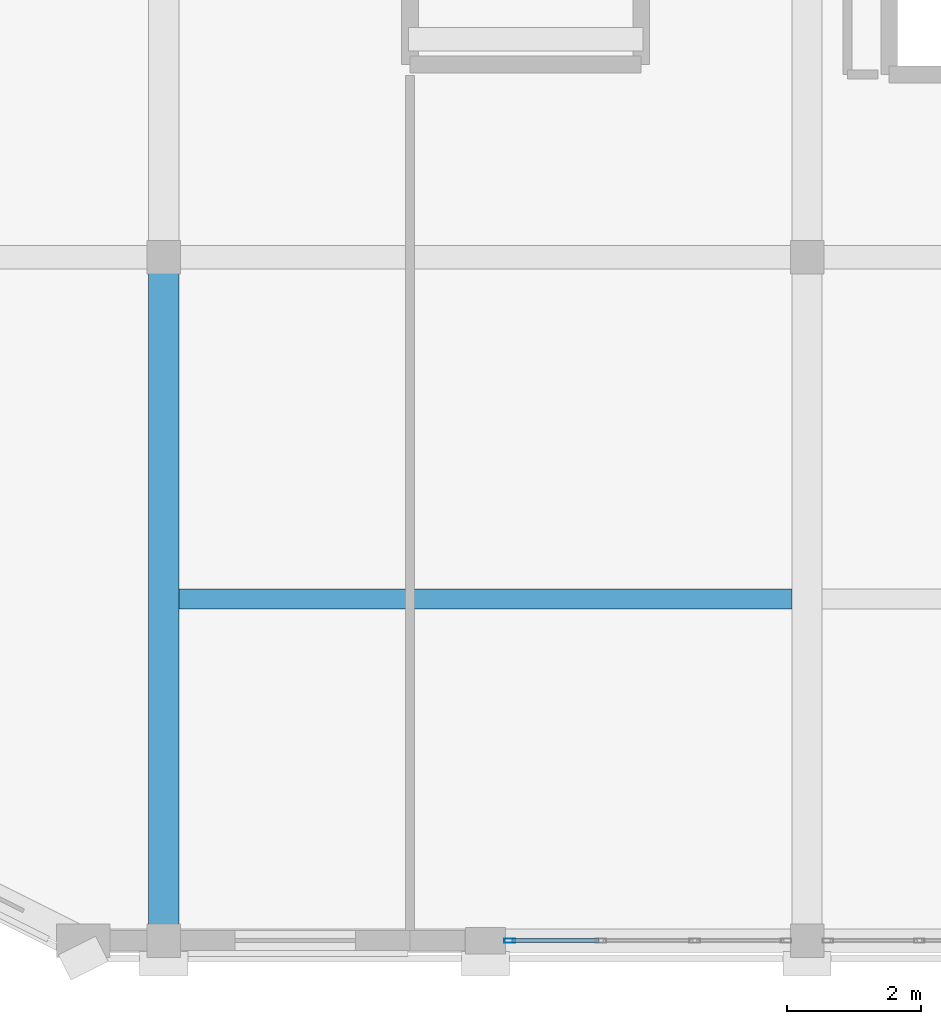
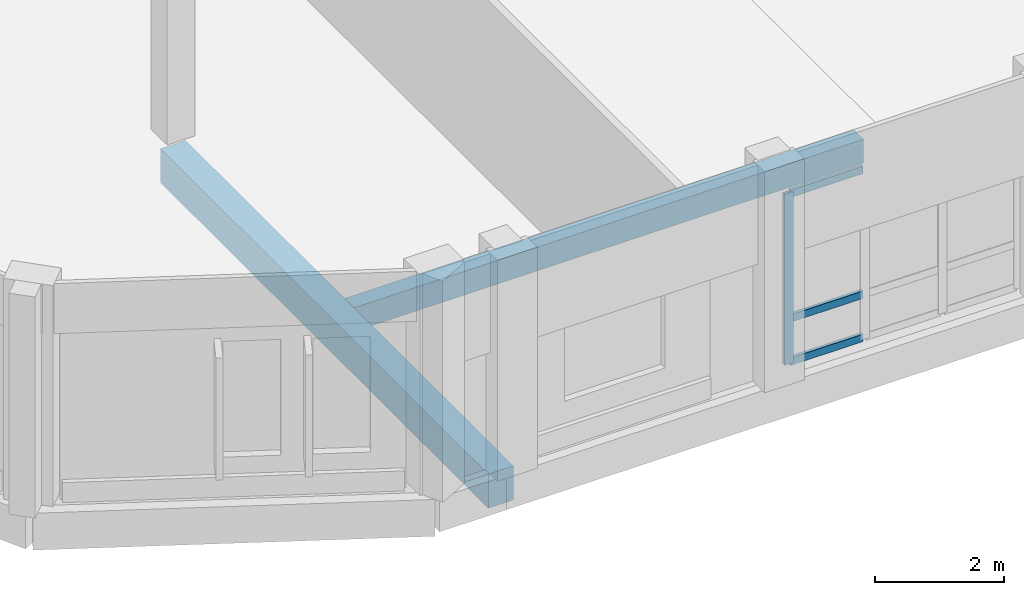
# One storey, part 2 of 29: 4 members, 2 beams, 1 element without a shape of its own.
"""IFC4 building model written with IfcOpenShell, lengths in metres."""

from ifc_helpers import new_model, si_unit, direction, frame, origin, origin_2d, place, context, subcontext, project, spatial, rectangle, hollow_rectangle, extrude, material, material_profile, profile_set, type_object, element, aggregate, save


model = new_model("IFC4")

# Units and contexts
model_context = context("Model", 3, precision=1e-05, world=origin(), true_north=direction((0.0, 1.0)))
body_context = subcontext(model_context, "Body", "Model", "MODEL_VIEW")
ifc_project = project(units=[si_unit("LENGTHUNIT", "METRE"), si_unit("AREAUNIT", "SQUARE_METRE"), si_unit("VOLUMEUNIT", "CUBIC_METRE"), si_unit("PLANEANGLEUNIT", "RADIAN"), si_unit("MASSUNIT", "GRAM", prefix="KILO")], contexts=[model_context])

# Site, building, storey
site_placement = place(None, origin())
site = spatial("IfcSite", under=ifc_project, at=site_placement, CompositionType="ELEMENT")
building_placement = place(site_placement, origin())
building = spatial("IfcBuilding", under=site, at=building_placement, Name="Vondelvale Polytechnic", CompositionType="ELEMENT")
storey_placement = place(building_placement, frame((0.0, 0.0, 26.39990234375)))
storey = spatial("IfcBuildingStorey", under=building, at=storey_placement, Name="L06", CompositionType="ELEMENT", Elevation=26.39990234375)

# Beam
ifc_material_1 = material(Name="Concrete N40 (f'c = 40 MPa)", Category="concrete")
ifc_material_profile_1 = material_profile(ifc_material_1, rectangle(XDim=0.449951171875, YDim=0.64990234375, at=origin_2d()), Name="RC-BM-450x650")
ifc_profile_set_1 = profile_set([ifc_material_profile_1], Name="Concrete N40 (f'c = 40 MPa)")
beam_type_1 = type_object("IfcBeamType", Name="BM-RC450x650", PredefinedType="BEAM", material=ifc_profile_set_1)
beam_1_placement = place(storey_placement, frame((9.60009765625, 0.0, -0.5498046875), z_axis=(0.0, 1.0, 0.0), x_axis=(-1.0, 0.0, 0.0)))
element("IfcBeam", 1, at=beam_1_placement, inside=storey, type_object=beam_type_1, Name="L06 B B-04", PredefinedType="BEAM", context=body_context, shape_type="SweptSolid", body=[
    extrude(rectangle(XDim=0.449951171875, YDim=0.64990234375, at=origin_2d()), origin(), (0.0, 0.0, 1.0), 10.199951171875),
])

# Curtain wall, members
ifc_material_2 = material(Name="Anodised extruded aluminium 6063-T6", Category="aluminium")
curtain_wall_type = type_object("IfcCurtainWallType", Name="CW-LIBRARY-BAY", PredefinedType="NOTDEFINED", material=ifc_material_2)
curtain_wall_placement = place(storey_placement, origin())
curtain_wall = element("IfcCurtainWall", 2, at=curtain_wall_placement, inside=storey, type_object=curtain_wall_type, Name="L06 architectural curtain wall CW-02-043", PredefinedType="NOTDEFINED")
ifc_material_profile_2 = material_profile(ifc_material_2, hollow_rectangle(XDim=0.06494140625, YDim=0.159912109375, WallThickness=0.0048828125, at=origin_2d()), Name="CW-MUL-160x65")
ifc_profile_set_2 = profile_set([ifc_material_profile_2], Name="Anodised extruded aluminium 6063-T6")
member_type_1 = type_object("IfcMemberType", Name="CW-MUL-65x160", PredefinedType="MULLION", material=ifc_profile_set_2)
member_1_placement = place(storey_placement, frame((14.762451171875, 0.0, 0.0), z_axis=(0.0, 0.0, 1.0), x_axis=(0.0, 1.0, 0.0)))
member_1 = element("IfcMember", 3, at=member_1_placement, type_object=member_type_1, Name="CW-02-043 mullion 1", PredefinedType="MULLION", context=body_context, shape_type="SweptSolid", body=[
    extrude(hollow_rectangle(XDim=0.06494140625, YDim=0.159912109375, WallThickness=0.0048828125, at=origin_2d()), origin(), (0.0, 0.0, 1.0), 3.25),
])
ifc_material_profile_3 = material_profile(ifc_material_2, hollow_rectangle(XDim=0.06005859375, YDim=0.139892578125, WallThickness=0.00341796875, at=origin_2d()), Name="CW-TRN-140x60")
ifc_profile_set_3 = profile_set([ifc_material_profile_3], Name="Anodised extruded aluminium 6063-T6")
member_type_2 = type_object("IfcMemberType", Name="CW-TRN-60x140", PredefinedType="USERDEFINED", material=ifc_profile_set_3)
member_2_placement = place(storey_placement, frame((14.794921875, 0.0, 0.030029296875), z_axis=(1.0, 0.0, 0.0), x_axis=(0.0, 1.0, 0.0)))
member_2 = element("IfcMember", 4, at=member_2_placement, type_object=member_type_2, Name="CW-02-043 transom 1.1", ObjectType="TRANSOM", PredefinedType="USERDEFINED", context=body_context, shape_type="SweptSolid", body=[
    extrude(hollow_rectangle(XDim=0.06005859375, YDim=0.139892578125, WallThickness=0.00341796875, at=origin_2d()), origin(), (0.0, 0.0, 1.0), 1.29931640625),
])
member_3_placement = place(storey_placement, frame((14.794921875, 0.0, 0.85009765625), z_axis=(1.0, 0.0, 0.0), x_axis=(0.0, 1.0, 0.0)))
member_3 = element("IfcMember", 5, at=member_3_placement, type_object=member_type_2, Name="CW-02-043 transom 1.2", ObjectType="TRANSOM", PredefinedType="USERDEFINED", context=body_context, shape_type="SweptSolid", body=[
    extrude(hollow_rectangle(XDim=0.06005859375, YDim=0.139892578125, WallThickness=0.00341796875, at=origin_2d()), origin(), (0.0, 0.0, 1.0), 1.29931640625),
])
member_4_placement = place(storey_placement, frame((14.794921875, 0.0, 3.22021484375), z_axis=(1.0, 0.0, 0.0), x_axis=(0.0, 1.0, 0.0)))
member_4 = element("IfcMember", 6, at=member_4_placement, type_object=member_type_2, Name="CW-02-043 transom 1.3", ObjectType="TRANSOM", PredefinedType="USERDEFINED", context=body_context, shape_type="SweptSolid", body=[
    extrude(hollow_rectangle(XDim=0.06005859375, YDim=0.139892578125, WallThickness=0.00341796875, at=origin_2d()), origin(), (0.0, 0.0, 1.0), 1.29931640625),
])
aggregate(curtain_wall, [member_1, member_2, member_3, member_4])

# Beam
ifc_material_profile_4 = material_profile(ifc_material_1, rectangle(XDim=0.300048828125, YDim=0.449951171875, at=origin_2d()), Name="RC-JST-300x450")
ifc_profile_set_4 = profile_set([ifc_material_profile_4], Name="Concrete N40 (f'c = 40 MPa)")
beam_type_2 = type_object("IfcBeamType", Name="JST-RC300x450", PredefinedType="JOIST", material=ifc_profile_set_4)
beam_2_placement = place(storey_placement, frame((9.824951171875, 5.10009765625, -0.449951171875), z_axis=(1.0, 0.0, 0.0), x_axis=(0.0, 1.0, 0.0)))
element("IfcBeam", 7, at=beam_2_placement, inside=storey, type_object=beam_type_2, Name="L06 J J-03", PredefinedType="JOIST", context=body_context, shape_type="SweptSolid", body=[
    extrude(rectangle(XDim=0.300048828125, YDim=0.449951171875, at=origin_2d()), origin(), (0.0, 0.0, 1.0), 9.150146484375),
])

save(model, "model.ifc")
